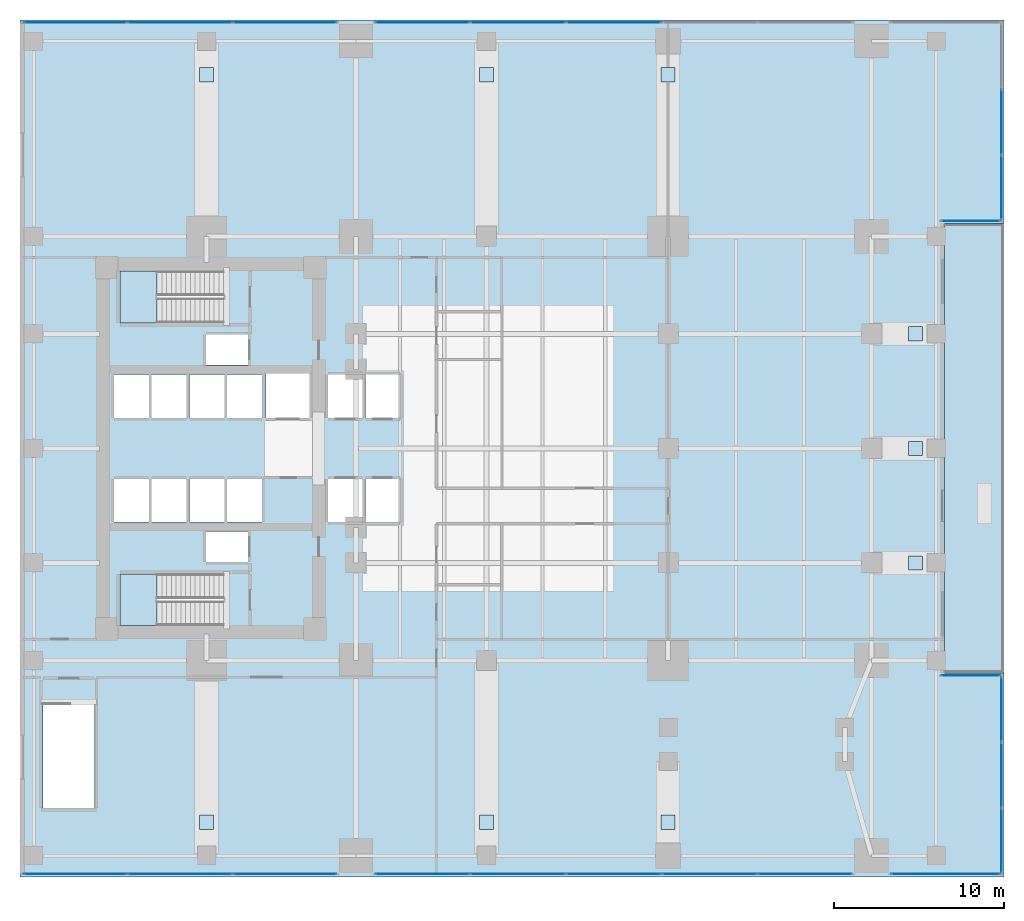
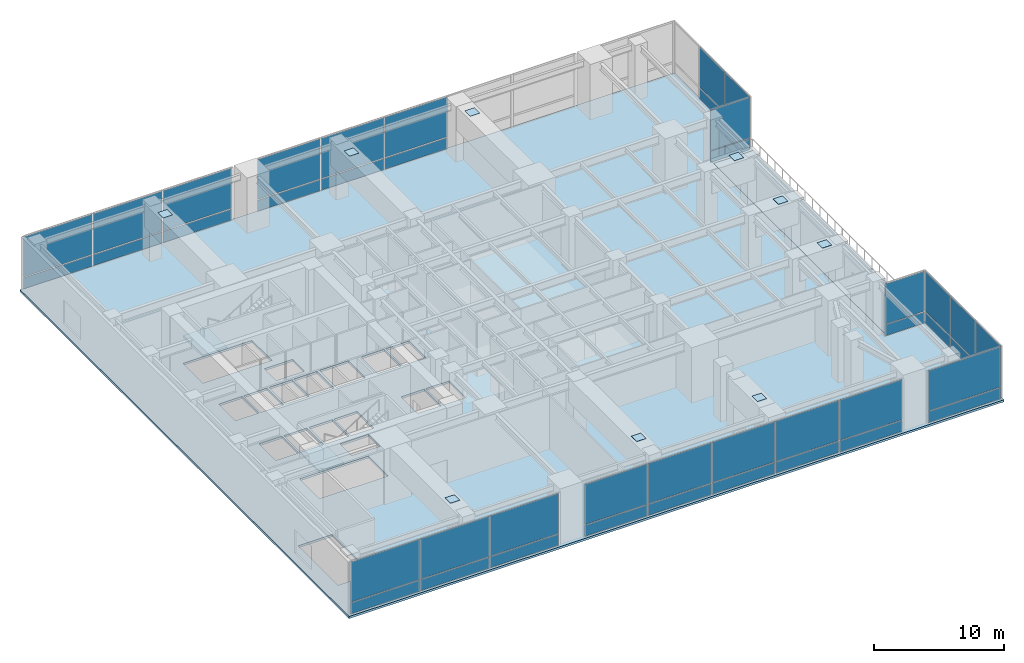
# One storey, part 7 of 14: 53 plates, 4 slabs, 11 elements without a shape of their own.
"""IFC4 building model written with IfcOpenShell, lengths in metres."""

from ifc_helpers import new_model, si_unit, direction, frame, origin, origin_2d, place, context, subcontext, project, spatial, polyline, rectangle, outline, extrude, material, layer, layer_set, type_object, element, aggregate, save


model = new_model("IFC4")

# Units and contexts
model_context = context("Model", 3, precision=1e-05, world=origin(), true_north=direction((0.0, 1.0)))
body_context = subcontext(model_context, "Body", "Model", "MODEL_VIEW")
ifc_project = project(units=[si_unit("LENGTHUNIT", "METRE"), si_unit("AREAUNIT", "SQUARE_METRE"), si_unit("VOLUMEUNIT", "CUBIC_METRE"), si_unit("PLANEANGLEUNIT", "RADIAN"), si_unit("MASSUNIT", "GRAM", prefix="KILO")], contexts=[model_context])

# Site, building, storey
site_placement = place(None, origin())
site = spatial("IfcSite", under=ifc_project, at=site_placement, CompositionType="ELEMENT")
building_placement = place(site_placement, origin())
building = spatial("IfcBuilding", under=site, at=building_placement, Name="Kinhvarn Gate Tower", CompositionType="ELEMENT")
storey_placement = place(building_placement, frame((0.0, 0.0, 20.39990234375)))
storey = spatial("IfcBuildingStorey", under=building, at=storey_placement, Name="L04", CompositionType="ELEMENT", Elevation=20.39990234375)

# Curtain wall, plates
ifc_material_1 = material(Name="Anodised aluminium AW-6063", Category="aluminium")
ifc_layer_1 = layer(ifc_material_1, 0.219970703125)
ifc_layer_set_1 = layer_set([ifc_layer_1], Name="Anodised aluminium AW-6063")
curtain_wall_type = type_object("IfcCurtainWallType", Name="CW-SYS-1", PredefinedType="NOTDEFINED", material=ifc_layer_set_1)
curtain_wall_1_placement = place(storey_placement, origin())
curtain_wall_1 = element("IfcCurtainWall", 1, at=curtain_wall_1_placement, inside=storey, type_object=curtain_wall_type, Name="Curtain Wall CW1 (L04)", PredefinedType="NOTDEFINED")
ifc_material_2 = material(Name="Clear low-e double glazing", Category="glass")
ifc_layer_2 = layer(ifc_material_2, 0.031982421875)
ifc_layer_set_2 = layer_set([ifc_layer_2], Name="Clear low-e double glazing")
plate_type_1 = type_object("IfcPlateType", Name="CW-PNL-VIS", PredefinedType="CURTAIN_PANEL", material=ifc_layer_set_2)
plate_1_placement = place(storey_placement, frame((3.264892578125, 0.14990234375, 0.080078125), z_axis=(0.0, 0.0, 1.0), x_axis=(1.0, 0.0, 0.0)))
plate_1 = element("IfcPlate", 2, at=plate_1_placement, type_object=plate_type_1, Name="CW1 panel 1.1", PredefinedType="CURTAIN_PANEL", context=body_context, shape_type="SweptSolid", body=[
    extrude(rectangle(XDim=6.070068359375, YDim=0.031982421875, at=origin_2d()), origin(), (0.0, 0.0, 1.0), 1.030029296875),
])
plate_2_placement = place(storey_placement, frame((3.264892578125, 0.14990234375, 1.190185546875), z_axis=(0.0, 0.0, 1.0), x_axis=(1.0, 0.0, 0.0)))
plate_2 = element("IfcPlate", 3, at=plate_2_placement, type_object=plate_type_1, Name="CW1 panel 1.2", PredefinedType="CURTAIN_PANEL", context=body_context, shape_type="SweptSolid", body=[
    extrude(rectangle(XDim=6.070068359375, YDim=0.031982421875, at=origin_2d()), origin(), (0.0, 0.0, 1.0), 3.75),
])
plate_3_placement = place(storey_placement, frame((9.43505859375, 0.14990234375, 0.080078125), z_axis=(0.0, 0.0, 1.0), x_axis=(1.0, 0.0, 0.0)))
plate_3 = element("IfcPlate", 4, at=plate_3_placement, type_object=plate_type_1, Name="CW1 panel 2.1", PredefinedType="CURTAIN_PANEL", context=body_context, shape_type="SweptSolid", body=[
    extrude(rectangle(XDim=6.110107421875, YDim=0.031982421875, at=origin_2d()), origin(), (0.0, 0.0, 1.0), 1.030029296875),
])
plate_4_placement = place(storey_placement, frame((9.43505859375, 0.14990234375, 1.190185546875), z_axis=(0.0, 0.0, 1.0), x_axis=(1.0, 0.0, 0.0)))
plate_4 = element("IfcPlate", 5, at=plate_4_placement, type_object=plate_type_1, Name="CW1 panel 2.2", PredefinedType="CURTAIN_PANEL", context=body_context, shape_type="SweptSolid", body=[
    extrude(rectangle(XDim=6.110107421875, YDim=0.031982421875, at=origin_2d()), origin(), (0.0, 0.0, 1.0), 3.75),
])
plate_5_placement = place(storey_placement, frame((15.60498046875, 0.14990234375, 0.080078125), z_axis=(0.0, 0.0, 1.0), x_axis=(1.0, 0.0, 0.0)))
plate_5 = element("IfcPlate", 6, at=plate_5_placement, type_object=plate_type_1, Name="CW1 panel 3.1", PredefinedType="CURTAIN_PANEL", context=body_context, shape_type="SweptSolid", body=[
    extrude(rectangle(XDim=6.070068359375, YDim=0.031982421875, at=origin_2d()), origin(), (0.0, 0.0, 1.0), 1.030029296875),
])
plate_6_placement = place(storey_placement, frame((15.60498046875, 0.14990234375, 1.190185546875), z_axis=(0.0, 0.0, 1.0), x_axis=(1.0, 0.0, 0.0)))
plate_6 = element("IfcPlate", 7, at=plate_6_placement, type_object=plate_type_1, Name="CW1 panel 3.2", PredefinedType="CURTAIN_PANEL", context=body_context, shape_type="SweptSolid", body=[
    extrude(rectangle(XDim=6.070068359375, YDim=0.031982421875, at=origin_2d()), origin(), (0.0, 0.0, 1.0), 3.75),
])
aggregate(curtain_wall_1, [plate_1, plate_2, plate_3, plate_4, plate_5, plate_6])

curtain_wall_2_placement = place(storey_placement, origin())
curtain_wall_2 = element("IfcCurtainWall", 8, at=curtain_wall_2_placement, inside=storey, type_object=curtain_wall_type, Name="Curtain Wall CW1 (L04)", PredefinedType="NOTDEFINED")
plate_7_placement = place(storey_placement, frame((23.72412109375, 0.14990234375, 0.080078125), z_axis=(0.0, 0.0, 1.0), x_axis=(1.0, 0.0, 0.0)))
plate_7 = element("IfcPlate", 9, at=plate_7_placement, type_object=plate_type_1, Name="CW1 panel 1.1", PredefinedType="CURTAIN_PANEL", context=body_context, shape_type="SweptSolid", body=[
    extrude(rectangle(XDim=5.528076171875, YDim=0.031982421875, at=origin_2d()), origin(), (0.0, 0.0, 1.0), 1.030029296875),
])
plate_8_placement = place(storey_placement, frame((23.72412109375, 0.14990234375, 1.190185546875), z_axis=(0.0, 0.0, 1.0), x_axis=(1.0, 0.0, 0.0)))
plate_8 = element("IfcPlate", 10, at=plate_8_placement, type_object=plate_type_1, Name="CW1 panel 1.2", PredefinedType="CURTAIN_PANEL", context=body_context, shape_type="SweptSolid", body=[
    extrude(rectangle(XDim=5.528076171875, YDim=0.031982421875, at=origin_2d()), origin(), (0.0, 0.0, 1.0), 3.75),
])
plate_9_placement = place(storey_placement, frame((29.35205078125, 0.14990234375, 0.080078125), z_axis=(0.0, 0.0, 1.0), x_axis=(1.0, 0.0, 0.0)))
plate_9 = element("IfcPlate", 11, at=plate_9_placement, type_object=plate_type_1, Name="CW1 panel 2.1", PredefinedType="CURTAIN_PANEL", context=body_context, shape_type="SweptSolid", body=[
    extrude(rectangle(XDim=5.568115234375, YDim=0.031982421875, at=origin_2d()), origin(), (0.0, 0.0, 1.0), 1.030029296875),
])
plate_10_placement = place(storey_placement, frame((29.35205078125, 0.14990234375, 1.190185546875), z_axis=(0.0, 0.0, 1.0), x_axis=(1.0, 0.0, 0.0)))
plate_10 = element("IfcPlate", 12, at=plate_10_placement, type_object=plate_type_1, Name="CW1 panel 2.2", PredefinedType="CURTAIN_PANEL", context=body_context, shape_type="SweptSolid", body=[
    extrude(rectangle(XDim=5.568115234375, YDim=0.031982421875, at=origin_2d()), origin(), (0.0, 0.0, 1.0), 3.75),
])
plate_11_placement = place(storey_placement, frame((35.0, 0.14990234375, 0.080078125), z_axis=(0.0, 0.0, 1.0), x_axis=(1.0, 0.0, 0.0)))
plate_11 = element("IfcPlate", 13, at=plate_11_placement, type_object=plate_type_1, Name="CW1 panel 3.1", PredefinedType="CURTAIN_PANEL", context=body_context, shape_type="SweptSolid", body=[
    extrude(rectangle(XDim=5.568115234375, YDim=0.031982421875, at=origin_2d()), origin(), (0.0, 0.0, 1.0), 1.030029296875),
])
plate_12_placement = place(storey_placement, frame((35.0, 0.14990234375, 1.190185546875), z_axis=(0.0, 0.0, 1.0), x_axis=(1.0, 0.0, 0.0)))
plate_12 = element("IfcPlate", 14, at=plate_12_placement, type_object=plate_type_1, Name="CW1 panel 3.2", PredefinedType="CURTAIN_PANEL", context=body_context, shape_type="SweptSolid", body=[
    extrude(rectangle(XDim=5.568115234375, YDim=0.031982421875, at=origin_2d()), origin(), (0.0, 0.0, 1.0), 3.75),
])
plate_13_placement = place(storey_placement, frame((40.64794921875, 0.14990234375, 0.080078125), z_axis=(0.0, 0.0, 1.0), x_axis=(1.0, 0.0, 0.0)))
plate_13 = element("IfcPlate", 15, at=plate_13_placement, type_object=plate_type_1, Name="CW1 panel 4.1", PredefinedType="CURTAIN_PANEL", context=body_context, shape_type="SweptSolid", body=[
    extrude(rectangle(XDim=5.568115234375, YDim=0.031982421875, at=origin_2d()), origin(), (0.0, 0.0, 1.0), 1.030029296875),
])
plate_14_placement = place(storey_placement, frame((40.64794921875, 0.14990234375, 1.190185546875), z_axis=(0.0, 0.0, 1.0), x_axis=(1.0, 0.0, 0.0)))
plate_14 = element("IfcPlate", 16, at=plate_14_placement, type_object=plate_type_1, Name="CW1 panel 4.2", PredefinedType="CURTAIN_PANEL", context=body_context, shape_type="SweptSolid", body=[
    extrude(rectangle(XDim=5.568115234375, YDim=0.031982421875, at=origin_2d()), origin(), (0.0, 0.0, 1.0), 3.75),
])
plate_15_placement = place(storey_placement, frame((46.27587890625, 0.14990234375, 0.080078125), z_axis=(0.0, 0.0, 1.0), x_axis=(1.0, 0.0, 0.0)))
plate_15 = element("IfcPlate", 17, at=plate_15_placement, type_object=plate_type_1, Name="CW1 panel 5.1", PredefinedType="CURTAIN_PANEL", context=body_context, shape_type="SweptSolid", body=[
    extrude(rectangle(XDim=5.528076171875, YDim=0.031982421875, at=origin_2d()), origin(), (0.0, 0.0, 1.0), 1.030029296875),
])
plate_16_placement = place(storey_placement, frame((46.27587890625, 0.14990234375, 1.190185546875), z_axis=(0.0, 0.0, 1.0), x_axis=(1.0, 0.0, 0.0)))
plate_16 = element("IfcPlate", 18, at=plate_16_placement, type_object=plate_type_1, Name="CW1 panel 5.2", PredefinedType="CURTAIN_PANEL", context=body_context, shape_type="SweptSolid", body=[
    extrude(rectangle(XDim=5.528076171875, YDim=0.031982421875, at=origin_2d()), origin(), (0.0, 0.0, 1.0), 3.75),
])
aggregate(curtain_wall_2, [plate_7, plate_8, plate_9, plate_10, plate_11, plate_12, plate_13, plate_14, plate_15, plate_16])

curtain_wall_3_placement = place(storey_placement, origin())
curtain_wall_3 = element("IfcCurtainWall", 19, at=curtain_wall_3_placement, inside=storey, type_object=curtain_wall_type, Name="Curtain Wall CW1 (L04)", PredefinedType="NOTDEFINED")
plate_17_placement = place(storey_placement, frame((54.56494140625, 0.14990234375, 0.080078125), z_axis=(0.0, 0.0, 1.0), x_axis=(1.0, 0.0, 0.0)))
plate_17 = element("IfcPlate", 20, at=plate_17_placement, type_object=plate_type_1, Name="CW1 panel 1.1", PredefinedType="CURTAIN_PANEL", context=body_context, shape_type="SweptSolid", body=[
    extrude(rectangle(XDim=6.409912109375, YDim=0.031982421875, at=origin_2d()), origin(), (0.0, 0.0, 1.0), 1.030029296875),
])
plate_18_placement = place(storey_placement, frame((54.56494140625, 0.14990234375, 1.190185546875), z_axis=(0.0, 0.0, 1.0), x_axis=(1.0, 0.0, 0.0)))
plate_18 = element("IfcPlate", 21, at=plate_18_placement, type_object=plate_type_1, Name="CW1 panel 1.2", PredefinedType="CURTAIN_PANEL", context=body_context, shape_type="SweptSolid", body=[
    extrude(rectangle(XDim=6.409912109375, YDim=0.031982421875, at=origin_2d()), origin(), (0.0, 0.0, 1.0), 3.75),
])
aggregate(curtain_wall_3, [plate_17, plate_18])

curtain_wall_4_placement = place(storey_placement, origin())
curtain_wall_4 = element("IfcCurtainWall", 22, at=curtain_wall_4_placement, inside=storey, type_object=curtain_wall_type, Name="Curtain Wall CW1 (L04)", PredefinedType="NOTDEFINED")
plate_19_placement = place(storey_placement, frame((57.85009765625, 2.1201171875, 0.080078125), z_axis=(0.0, 0.0, 1.0), x_axis=(0.0, 1.0, 0.0)))
plate_19 = element("IfcPlate", 23, at=plate_19_placement, type_object=plate_type_1, Name="CW1 panel 1.1", PredefinedType="CURTAIN_PANEL", context=body_context, shape_type="SweptSolid", body=[
    extrude(rectangle(XDim=3.780029296875, YDim=0.031982421875, at=origin_2d()), origin(), (0.0, 0.0, 1.0), 1.030029296875),
])
plate_20_placement = place(storey_placement, frame((57.85009765625, 2.1201171875, 1.190185546875), z_axis=(0.0, 0.0, 1.0), x_axis=(0.0, 1.0, 0.0)))
plate_20 = element("IfcPlate", 24, at=plate_20_placement, type_object=plate_type_1, Name="CW1 panel 1.2", PredefinedType="CURTAIN_PANEL", context=body_context, shape_type="SweptSolid", body=[
    extrude(rectangle(XDim=3.780029296875, YDim=0.031982421875, at=origin_2d()), origin(), (0.0, 0.0, 1.0), 3.75),
])
plate_21_placement = place(storey_placement, frame((57.85009765625, 6.0, 0.080078125), z_axis=(0.0, 0.0, 1.0), x_axis=(0.0, 1.0, 0.0)))
plate_21 = element("IfcPlate", 25, at=plate_21_placement, type_object=plate_type_1, Name="CW1 panel 2.1", PredefinedType="CURTAIN_PANEL", context=body_context, shape_type="SweptSolid", body=[
    extrude(rectangle(XDim=3.820068359375, YDim=0.031982421875, at=origin_2d()), origin(), (0.0, 0.0, 1.0), 1.030029296875),
])
plate_22_placement = place(storey_placement, frame((57.85009765625, 6.0, 1.190185546875), z_axis=(0.0, 0.0, 1.0), x_axis=(0.0, 1.0, 0.0)))
plate_22 = element("IfcPlate", 26, at=plate_22_placement, type_object=plate_type_1, Name="CW1 panel 2.2", PredefinedType="CURTAIN_PANEL", context=body_context, shape_type="SweptSolid", body=[
    extrude(rectangle(XDim=3.820068359375, YDim=0.031982421875, at=origin_2d()), origin(), (0.0, 0.0, 1.0), 3.75),
])
plate_23_placement = place(storey_placement, frame((57.85009765625, 9.8798828125, 0.080078125), z_axis=(0.0, 0.0, 1.0), x_axis=(0.0, 1.0, 0.0)))
plate_23 = element("IfcPlate", 27, at=plate_23_placement, type_object=plate_type_1, Name="CW1 panel 3.1", PredefinedType="CURTAIN_PANEL", context=body_context, shape_type="SweptSolid", body=[
    extrude(rectangle(XDim=3.780029296875, YDim=0.031982421875, at=origin_2d()), origin(), (0.0, 0.0, 1.0), 1.030029296875),
])
plate_24_placement = place(storey_placement, frame((57.85009765625, 9.8798828125, 1.190185546875), z_axis=(0.0, 0.0, 1.0), x_axis=(0.0, 1.0, 0.0)))
plate_24 = element("IfcPlate", 28, at=plate_24_placement, type_object=plate_type_1, Name="CW1 panel 3.2", PredefinedType="CURTAIN_PANEL", context=body_context, shape_type="SweptSolid", body=[
    extrude(rectangle(XDim=3.780029296875, YDim=0.031982421875, at=origin_2d()), origin(), (0.0, 0.0, 1.0), 3.75),
])
aggregate(curtain_wall_4, [plate_19, plate_20, plate_21, plate_22, plate_23, plate_24])

curtain_wall_5_placement = place(storey_placement, origin())
curtain_wall_5 = element("IfcCurtainWall", 29, at=curtain_wall_5_placement, inside=storey, type_object=curtain_wall_type, Name="Curtain Wall CW1 (L04)", PredefinedType="NOTDEFINED")
plate_25_placement = place(storey_placement, frame((56.050048828125, 11.85009765625, 0.080078125), z_axis=(0.0, 0.0, 1.0), x_axis=(-1.0, 0.0, 0.0)))
plate_25 = element("IfcPlate", 30, at=plate_25_placement, type_object=plate_type_1, Name="CW1 panel 1.1", PredefinedType="CURTAIN_PANEL", context=body_context, shape_type="SweptSolid", body=[
    extrude(rectangle(XDim=3.43994140625, YDim=0.031982421875, at=origin_2d()), origin(), (0.0, 0.0, 1.0), 1.030029296875),
])
plate_26_placement = place(storey_placement, frame((56.050048828125, 11.85009765625, 1.190185546875), z_axis=(0.0, 0.0, 1.0), x_axis=(-1.0, 0.0, 0.0)))
plate_26 = element("IfcPlate", 31, at=plate_26_placement, type_object=plate_type_1, Name="CW1 panel 1.2", PredefinedType="CURTAIN_PANEL", context=body_context, shape_type="SweptSolid", body=[
    extrude(rectangle(XDim=3.43994140625, YDim=0.031982421875, at=origin_2d()), origin(), (0.0, 0.0, 1.0), 3.75),
])
aggregate(curtain_wall_5, [plate_25, plate_26])

curtain_wall_6_placement = place(storey_placement, origin())
curtain_wall_6 = element("IfcCurtainWall", 32, at=curtain_wall_6_placement, inside=storey, type_object=curtain_wall_type, Name="Curtain Wall CW1 (L04)", PredefinedType="NOTDEFINED")
plate_27_placement = place(storey_placement, frame((56.050048828125, 38.64990234375, 0.080078125), z_axis=(0.0, 0.0, 1.0), x_axis=(1.0, 0.0, 0.0)))
plate_27 = element("IfcPlate", 33, at=plate_27_placement, type_object=plate_type_1, Name="CW1 panel 1.1", PredefinedType="CURTAIN_PANEL", context=body_context, shape_type="SweptSolid", body=[
    extrude(rectangle(XDim=3.43994140625, YDim=0.031982421875, at=origin_2d()), origin(), (0.0, 0.0, 1.0), 1.030029296875),
])
plate_28_placement = place(storey_placement, frame((56.050048828125, 38.64990234375, 1.190185546875), z_axis=(0.0, 0.0, 1.0), x_axis=(1.0, 0.0, 0.0)))
plate_28 = element("IfcPlate", 34, at=plate_28_placement, type_object=plate_type_1, Name="CW1 panel 1.2", PredefinedType="CURTAIN_PANEL", context=body_context, shape_type="SweptSolid", body=[
    extrude(rectangle(XDim=3.43994140625, YDim=0.031982421875, at=origin_2d()), origin(), (0.0, 0.0, 1.0), 3.75),
])
aggregate(curtain_wall_6, [plate_27, plate_28])

curtain_wall_7_placement = place(storey_placement, origin())
curtain_wall_7 = element("IfcCurtainWall", 35, at=curtain_wall_7_placement, inside=storey, type_object=curtain_wall_type, Name="Curtain Wall CW1 (L04)", PredefinedType="NOTDEFINED")
plate_29_placement = place(storey_placement, frame((57.85009765625, 40.6201171875, 0.080078125), z_axis=(0.0, 0.0, 1.0), x_axis=(0.0, 1.0, 0.0)))
plate_29 = element("IfcPlate", 36, at=plate_29_placement, type_object=plate_type_1, Name="CW1 panel 1.1", PredefinedType="CURTAIN_PANEL", context=body_context, shape_type="SweptSolid", body=[
    extrude(rectangle(XDim=3.780029296875, YDim=0.031982421875, at=origin_2d()), origin(), (0.0, 0.0, 1.0), 1.030029296875),
])
plate_30_placement = place(storey_placement, frame((57.85009765625, 40.6201171875, 1.190185546875), z_axis=(0.0, 0.0, 1.0), x_axis=(0.0, 1.0, 0.0)))
plate_30 = element("IfcPlate", 37, at=plate_30_placement, type_object=plate_type_1, Name="CW1 panel 1.2", PredefinedType="CURTAIN_PANEL", context=body_context, shape_type="SweptSolid", body=[
    extrude(rectangle(XDim=3.780029296875, YDim=0.031982421875, at=origin_2d()), origin(), (0.0, 0.0, 1.0), 3.75),
])
plate_31_placement = place(storey_placement, frame((57.85009765625, 44.5, 0.080078125), z_axis=(0.0, 0.0, 1.0), x_axis=(0.0, 1.0, 0.0)))
plate_31 = element("IfcPlate", 38, at=plate_31_placement, type_object=plate_type_1, Name="CW1 panel 2.1", PredefinedType="CURTAIN_PANEL", context=body_context, shape_type="SweptSolid", body=[
    extrude(rectangle(XDim=3.820068359375, YDim=0.031982421875, at=origin_2d()), origin(), (0.0, 0.0, 1.0), 1.030029296875),
])
plate_32_placement = place(storey_placement, frame((57.85009765625, 44.5, 1.190185546875), z_axis=(0.0, 0.0, 1.0), x_axis=(0.0, 1.0, 0.0)))
plate_32 = element("IfcPlate", 39, at=plate_32_placement, type_object=plate_type_1, Name="CW1 panel 2.2", PredefinedType="CURTAIN_PANEL", context=body_context, shape_type="SweptSolid", body=[
    extrude(rectangle(XDim=3.820068359375, YDim=0.031982421875, at=origin_2d()), origin(), (0.0, 0.0, 1.0), 3.75),
])
aggregate(curtain_wall_7, [plate_29, plate_30, plate_31, plate_32])

curtain_wall_8_placement = place(storey_placement, origin())
curtain_wall_8 = element("IfcCurtainWall", 40, at=curtain_wall_8_placement, inside=storey, type_object=curtain_wall_type, Name="Curtain Wall CW1 (L04)", PredefinedType="NOTDEFINED")
plate_33_placement = place(storey_placement, frame((35.0, 50.35009765625, 0.080078125), z_axis=(0.0, 0.0, 1.0), x_axis=(-1.0, 0.0, 0.0)))
plate_33 = element("IfcPlate", 41, at=plate_33_placement, type_object=plate_type_1, Name="CW1 panel 3.1", PredefinedType="CURTAIN_PANEL", context=body_context, shape_type="SweptSolid", body=[
    extrude(rectangle(XDim=5.568115234375, YDim=0.031982421875, at=origin_2d()), origin(), (0.0, 0.0, 1.0), 1.030029296875),
])
plate_34_placement = place(storey_placement, frame((35.0, 50.35009765625, 1.190185546875), z_axis=(0.0, 0.0, 1.0), x_axis=(-1.0, 0.0, 0.0)))
plate_34 = element("IfcPlate", 42, at=plate_34_placement, type_object=plate_type_1, Name="CW1 panel 3.2", PredefinedType="CURTAIN_PANEL", context=body_context, shape_type="SweptSolid", body=[
    extrude(rectangle(XDim=5.568115234375, YDim=0.031982421875, at=origin_2d()), origin(), (0.0, 0.0, 1.0), 3.75),
])
plate_35_placement = place(storey_placement, frame((29.35205078125, 50.35009765625, 0.080078125), z_axis=(0.0, 0.0, 1.0), x_axis=(-1.0, 0.0, 0.0)))
plate_35 = element("IfcPlate", 43, at=plate_35_placement, type_object=plate_type_1, Name="CW1 panel 4.1", PredefinedType="CURTAIN_PANEL", context=body_context, shape_type="SweptSolid", body=[
    extrude(rectangle(XDim=5.568115234375, YDim=0.031982421875, at=origin_2d()), origin(), (0.0, 0.0, 1.0), 1.030029296875),
])
plate_36_placement = place(storey_placement, frame((29.35205078125, 50.35009765625, 1.190185546875), z_axis=(0.0, 0.0, 1.0), x_axis=(-1.0, 0.0, 0.0)))
plate_36 = element("IfcPlate", 44, at=plate_36_placement, type_object=plate_type_1, Name="CW1 panel 4.2", PredefinedType="CURTAIN_PANEL", context=body_context, shape_type="SweptSolid", body=[
    extrude(rectangle(XDim=5.568115234375, YDim=0.031982421875, at=origin_2d()), origin(), (0.0, 0.0, 1.0), 3.75),
])
plate_37_placement = place(storey_placement, frame((23.72412109375, 50.35009765625, 0.080078125), z_axis=(0.0, 0.0, 1.0), x_axis=(-1.0, 0.0, 0.0)))
plate_37 = element("IfcPlate", 45, at=plate_37_placement, type_object=plate_type_1, Name="CW1 panel 5.1", PredefinedType="CURTAIN_PANEL", context=body_context, shape_type="SweptSolid", body=[
    extrude(rectangle(XDim=5.528076171875, YDim=0.031982421875, at=origin_2d()), origin(), (0.0, 0.0, 1.0), 1.030029296875),
])
plate_38_placement = place(storey_placement, frame((23.72412109375, 50.35009765625, 1.190185546875), z_axis=(0.0, 0.0, 1.0), x_axis=(-1.0, 0.0, 0.0)))
plate_38 = element("IfcPlate", 46, at=plate_38_placement, type_object=plate_type_1, Name="CW1 panel 5.2", PredefinedType="CURTAIN_PANEL", context=body_context, shape_type="SweptSolid", body=[
    extrude(rectangle(XDim=5.528076171875, YDim=0.031982421875, at=origin_2d()), origin(), (0.0, 0.0, 1.0), 3.75),
])
aggregate(curtain_wall_8, [plate_33, plate_34, plate_35, plate_36, plate_37, plate_38])

curtain_wall_9_placement = place(storey_placement, origin())
curtain_wall_9 = element("IfcCurtainWall", 47, at=curtain_wall_9_placement, inside=storey, type_object=curtain_wall_type, Name="Curtain Wall CW1 (L04)", PredefinedType="NOTDEFINED")
plate_39_placement = place(storey_placement, frame((15.60498046875, 50.35009765625, 0.080078125), z_axis=(0.0, 0.0, 1.0), x_axis=(-1.0, 0.0, 0.0)))
plate_39 = element("IfcPlate", 48, at=plate_39_placement, type_object=plate_type_1, Name="CW1 panel 1.1", PredefinedType="CURTAIN_PANEL", context=body_context, shape_type="SweptSolid", body=[
    extrude(rectangle(XDim=6.070068359375, YDim=0.031982421875, at=origin_2d()), origin(), (0.0, 0.0, 1.0), 1.030029296875),
])
plate_40_placement = place(storey_placement, frame((15.60498046875, 50.35009765625, 1.190185546875), z_axis=(0.0, 0.0, 1.0), x_axis=(-1.0, 0.0, 0.0)))
plate_40 = element("IfcPlate", 49, at=plate_40_placement, type_object=plate_type_1, Name="CW1 panel 1.2", PredefinedType="CURTAIN_PANEL", context=body_context, shape_type="SweptSolid", body=[
    extrude(rectangle(XDim=6.070068359375, YDim=0.031982421875, at=origin_2d()), origin(), (0.0, 0.0, 1.0), 3.75),
])
plate_41_placement = place(storey_placement, frame((9.43505859375, 50.35009765625, 0.080078125), z_axis=(0.0, 0.0, 1.0), x_axis=(-1.0, 0.0, 0.0)))
plate_41 = element("IfcPlate", 50, at=plate_41_placement, type_object=plate_type_1, Name="CW1 panel 2.1", PredefinedType="CURTAIN_PANEL", context=body_context, shape_type="SweptSolid", body=[
    extrude(rectangle(XDim=6.110107421875, YDim=0.031982421875, at=origin_2d()), origin(), (0.0, 0.0, 1.0), 1.030029296875),
])
plate_42_placement = place(storey_placement, frame((9.43505859375, 50.35009765625, 1.190185546875), z_axis=(0.0, 0.0, 1.0), x_axis=(-1.0, 0.0, 0.0)))
plate_42 = element("IfcPlate", 51, at=plate_42_placement, type_object=plate_type_1, Name="CW1 panel 2.2", PredefinedType="CURTAIN_PANEL", context=body_context, shape_type="SweptSolid", body=[
    extrude(rectangle(XDim=6.110107421875, YDim=0.031982421875, at=origin_2d()), origin(), (0.0, 0.0, 1.0), 3.75),
])
plate_43_placement = place(storey_placement, frame((3.264892578125, 50.35009765625, 0.080078125), z_axis=(0.0, 0.0, 1.0), x_axis=(-1.0, 0.0, 0.0)))
plate_43 = element("IfcPlate", 52, at=plate_43_placement, type_object=plate_type_1, Name="CW1 panel 3.1", PredefinedType="CURTAIN_PANEL", context=body_context, shape_type="SweptSolid", body=[
    extrude(rectangle(XDim=6.070068359375, YDim=0.031982421875, at=origin_2d()), origin(), (0.0, 0.0, 1.0), 1.030029296875),
])
plate_44_placement = place(storey_placement, frame((3.264892578125, 50.35009765625, 1.190185546875), z_axis=(0.0, 0.0, 1.0), x_axis=(-1.0, 0.0, 0.0)))
plate_44 = element("IfcPlate", 53, at=plate_44_placement, type_object=plate_type_1, Name="CW1 panel 3.2", PredefinedType="CURTAIN_PANEL", context=body_context, shape_type="SweptSolid", body=[
    extrude(rectangle(XDim=6.070068359375, YDim=0.031982421875, at=origin_2d()), origin(), (0.0, 0.0, 1.0), 3.75),
])
aggregate(curtain_wall_9, [plate_39, plate_40, plate_41, plate_42, plate_43, plate_44])

# Plates
ifc_material_3 = material(Name="Steel S355", Category="steel")
ifc_layer_3 = layer(ifc_material_3, 0.028076171875)
ifc_layer_set_3 = layer_set([ifc_layer_3], Name="Steel S355")
plate_type_2 = type_object("IfcPlateType", Name="PLT-NODE-TN1", PredefinedType="USERDEFINED", material=ifc_layer_set_3)
plate_45_placement = place(storey_placement, frame((0.0, 0.0, 5.176025390625)))
element("IfcPlate", 54, at=plate_45_placement, inside=storey, type_object=plate_type_2, Name="Structural Node Cap Plate TN1", ObjectType="GUSSET_PLATE", PredefinedType="USERDEFINED", context=body_context, shape_type="SweptSolid", body=[
    extrude(outline(polyline([(52.360107421875, 18.080078125), (53.199951171875, 18.080078125), (53.199951171875, 18.919921875), (52.360107421875, 18.919921875), (52.360107421875, 18.080078125)])), origin(), (0.0, 0.0, 1.0), 0.028076171875),
])
plate_46_placement = place(storey_placement, frame((0.0, 0.0, 5.176025390625)))
element("IfcPlate", 55, at=plate_46_placement, inside=storey, type_object=plate_type_2, Name="Structural Node Cap Plate TN1", ObjectType="GUSSET_PLATE", PredefinedType="USERDEFINED", context=body_context, shape_type="SweptSolid", body=[
    extrude(outline(polyline([(52.360107421875, 24.830078125), (53.199951171875, 24.830078125), (53.199951171875, 25.669921875), (52.360107421875, 25.669921875), (52.360107421875, 24.830078125)])), origin(), (0.0, 0.0, 1.0), 0.028076171875),
])
plate_47_placement = place(storey_placement, frame((0.0, 0.0, 5.176025390625)))
element("IfcPlate", 56, at=plate_47_placement, inside=storey, type_object=plate_type_2, Name="Structural Node Cap Plate TN1", ObjectType="GUSSET_PLATE", PredefinedType="USERDEFINED", context=body_context, shape_type="SweptSolid", body=[
    extrude(outline(polyline([(52.360107421875, 31.580078125), (53.199951171875, 31.580078125), (53.199951171875, 32.419921875), (52.360107421875, 32.419921875), (52.360107421875, 31.580078125)])), origin(), (0.0, 0.0, 1.0), 0.028076171875),
])
plate_48_placement = place(storey_placement, frame((0.0, 0.0, 5.176025390625)))
element("IfcPlate", 57, at=plate_48_placement, inside=storey, type_object=plate_type_2, Name="Structural Node Cap Plate TN1", ObjectType="GUSSET_PLATE", PredefinedType="USERDEFINED", context=body_context, shape_type="SweptSolid", body=[
    extrude(outline(polyline([(10.580078125, 2.800048828125), (11.419921875, 2.800048828125), (11.419921875, 3.639892578125), (10.580078125, 3.639892578125), (10.580078125, 2.800048828125)])), origin(), (0.0, 0.0, 1.0), 0.028076171875),
])
plate_49_placement = place(storey_placement, frame((0.0, 0.0, 5.176025390625)))
element("IfcPlate", 58, at=plate_49_placement, inside=storey, type_object=plate_type_2, Name="Structural Node Cap Plate TN1", ObjectType="GUSSET_PLATE", PredefinedType="USERDEFINED", context=body_context, shape_type="SweptSolid", body=[
    extrude(outline(polyline([(27.080078125, 2.800048828125), (27.919921875, 2.800048828125), (27.919921875, 3.639892578125), (27.080078125, 3.639892578125), (27.080078125, 2.800048828125)])), origin(), (0.0, 0.0, 1.0), 0.028076171875),
])
plate_50_placement = place(storey_placement, frame((0.0, 0.0, 5.176025390625)))
element("IfcPlate", 59, at=plate_50_placement, inside=storey, type_object=plate_type_2, Name="Structural Node Cap Plate TN1", ObjectType="GUSSET_PLATE", PredefinedType="USERDEFINED", context=body_context, shape_type="SweptSolid", body=[
    extrude(outline(polyline([(37.780029296875, 2.800048828125), (38.6201171875, 2.800048828125), (38.6201171875, 3.639892578125), (37.780029296875, 3.639892578125), (37.780029296875, 2.800048828125)])), origin(), (0.0, 0.0, 1.0), 0.028076171875),
])
plate_51_placement = place(storey_placement, frame((0.0, 0.0, 5.176025390625)))
element("IfcPlate", 60, at=plate_51_placement, inside=storey, type_object=plate_type_2, Name="Structural Node Cap Plate TN1", ObjectType="GUSSET_PLATE", PredefinedType="USERDEFINED", context=body_context, shape_type="SweptSolid", body=[
    extrude(outline(polyline([(10.580078125, 46.860107421875), (11.419921875, 46.860107421875), (11.419921875, 47.699951171875), (10.580078125, 47.699951171875), (10.580078125, 46.860107421875)])), origin(), (0.0, 0.0, 1.0), 0.028076171875),
])
plate_52_placement = place(storey_placement, frame((0.0, 0.0, 5.176025390625)))
element("IfcPlate", 61, at=plate_52_placement, inside=storey, type_object=plate_type_2, Name="Structural Node Cap Plate TN1", ObjectType="GUSSET_PLATE", PredefinedType="USERDEFINED", context=body_context, shape_type="SweptSolid", body=[
    extrude(outline(polyline([(27.080078125, 46.860107421875), (27.919921875, 46.860107421875), (27.919921875, 47.699951171875), (27.080078125, 47.699951171875), (27.080078125, 46.860107421875)])), origin(), (0.0, 0.0, 1.0), 0.028076171875),
])
plate_53_placement = place(storey_placement, frame((0.0, 0.0, 5.176025390625)))
element("IfcPlate", 62, at=plate_53_placement, inside=storey, type_object=plate_type_2, Name="Structural Node Cap Plate TN1", ObjectType="GUSSET_PLATE", PredefinedType="USERDEFINED", context=body_context, shape_type="SweptSolid", body=[
    extrude(outline(polyline([(37.780029296875, 46.860107421875), (38.6201171875, 46.860107421875), (38.6201171875, 47.699951171875), (37.780029296875, 47.699951171875), (37.780029296875, 46.860107421875)])), origin(), (0.0, 0.0, 1.0), 0.028076171875),
])

# Slab
ifc_material_4 = material(Name="Concrete C50/60", Category="concrete")
ifc_layer_4 = layer(ifc_material_4, 0.199951171875)
ifc_layer_set_4 = layer_set([ifc_layer_4], Name="Concrete C50/60")
slab_type_1 = type_object("IfcSlabType", Name="SLB-REF-200", PredefinedType="FLOOR", material=ifc_layer_set_4)
slab_1_placement = place(storey_placement, frame((0.0, 0.0, -0.199951171875)))
element("IfcSlab", 63, at=slab_1_placement, inside=storey, type_object=slab_type_1, Name="Suspended Floor Slab L04", PredefinedType="FLOOR", context=body_context, shape_type="SweptSolid", body=[
    extrude(outline(polyline([(0.0, 0.0), (58.0, 0.0), (58.0, 12.0), (54.5, 12.0), (54.5, 38.5), (58.0, 38.5), (58.0, 50.5), (0.0, 50.5), (0.0, 0.0)]), holes=[polyline([(5.89990234375, 14.800048828125), (12.0, 14.800048828125), (12.0, 17.85009765625), (5.89990234375, 17.85009765625), (5.89990234375, 14.800048828125)]), polyline([(5.89990234375, 32.64990234375), (12.0, 32.64990234375), (12.0, 35.699951171875), (5.89990234375, 35.699951171875), (5.89990234375, 32.64990234375)]), polyline([(1.35009765625, 4.050048828125), (4.39990234375, 4.050048828125), (4.39990234375, 10.14990234375), (1.35009765625, 10.14990234375), (1.35009765625, 4.050048828125)]), polyline([(18.14990234375, 20.89990234375), (20.199951171875, 20.89990234375), (20.199951171875, 23.449951171875), (18.14990234375, 23.449951171875), (18.14990234375, 20.89990234375)]), polyline([(20.35009765625, 20.89990234375), (22.39990234375, 20.89990234375), (22.39990234375, 23.449951171875), (20.35009765625, 23.449951171875), (20.35009765625, 20.89990234375)]), polyline([(18.14990234375, 27.050048828125), (20.199951171875, 27.050048828125), (20.199951171875, 29.60009765625), (18.14990234375, 29.60009765625), (18.14990234375, 27.050048828125)]), polyline([(20.35009765625, 27.050048828125), (22.39990234375, 27.050048828125), (22.39990234375, 29.60009765625), (20.35009765625, 29.60009765625), (20.35009765625, 27.050048828125)]), polyline([(5.550048828125, 20.89990234375), (7.60009765625, 20.89990234375), (7.60009765625, 23.449951171875), (5.550048828125, 23.449951171875), (5.550048828125, 20.89990234375)]), polyline([(7.75, 20.89990234375), (9.800048828125, 20.89990234375), (9.800048828125, 23.449951171875), (7.75, 23.449951171875), (7.75, 20.89990234375)]), polyline([(5.550048828125, 27.050048828125), (7.60009765625, 27.050048828125), (7.60009765625, 29.60009765625), (5.550048828125, 29.60009765625), (5.550048828125, 27.050048828125)]), polyline([(7.75, 27.050048828125), (9.800048828125, 27.050048828125), (9.800048828125, 29.60009765625), (7.75, 29.60009765625), (7.75, 27.050048828125)]), polyline([(10.0, 20.89990234375), (12.050048828125, 20.89990234375), (12.050048828125, 23.449951171875), (10.0, 23.449951171875), (10.0, 20.89990234375)]), polyline([(12.199951171875, 20.89990234375), (14.25, 20.89990234375), (14.25, 23.449951171875), (12.199951171875, 23.449951171875), (12.199951171875, 20.89990234375)]), polyline([(10.0, 27.050048828125), (12.050048828125, 27.050048828125), (12.050048828125, 29.60009765625), (10.0, 29.60009765625), (10.0, 27.050048828125)]), polyline([(12.199951171875, 27.050048828125), (14.25, 27.050048828125), (14.25, 29.60009765625), (12.199951171875, 29.60009765625), (12.199951171875, 27.050048828125)]), polyline([(14.5, 27.050048828125), (17.050048828125, 27.050048828125), (17.050048828125, 29.64990234375), (14.5, 29.64990234375), (14.5, 27.050048828125)]), polyline([(10.949951171875, 18.550048828125), (13.449951171875, 18.550048828125), (13.449951171875, 20.35009765625), (10.949951171875, 20.35009765625), (10.949951171875, 18.550048828125)]), polyline([(10.949951171875, 30.14990234375), (13.449951171875, 30.14990234375), (13.449951171875, 31.949951171875), (10.949951171875, 31.949951171875), (10.949951171875, 30.14990234375)])]), origin(), (0.0, 0.0, 1.0), 0.199951171875),
])

# Stair, slab
ifc_material_5 = material(Name="Concrete C40/50", Category="concrete")
stair_type = type_object("IfcStairType", Name="STR-DLG-173", PredefinedType="HALF_TURN_STAIR", material=ifc_material_5)
stair_1_placement = place(storey_placement, origin())
stair_1 = element("IfcStair", 64, at=stair_1_placement, inside=storey, type_object=stair_type, Name="L04 Core Smokeproof Exit Stair ST1", PredefinedType="HALF_TURN_STAIR")
ifc_layer_5 = layer(ifc_material_5, 0.199951171875)
ifc_layer_set_5 = layer_set([ifc_layer_5], Name="Concrete C40/50")
slab_type_2 = type_object("IfcSlabType", Name="SLB-ST-LND", PredefinedType="LANDING", material=ifc_layer_set_5)
slab_2_placement = place(storey_placement, frame((0.0, 0.0, 2.400146484375)))
slab_2 = element("IfcSlab", 65, at=slab_2_placement, type_object=slab_type_2, Name="ST1 landing 1", PredefinedType="LANDING", context=body_context, shape_type="SweptSolid", body=[
    extrude(outline(polyline([(8.080078125, 17.85009765625), (5.89990234375, 17.85009765625), (5.89990234375, 14.800048828125), (8.080078125, 14.800048828125), (8.080078125, 17.85009765625)])), origin(), (0.0, 0.0, 1.0), 0.199951171875),
])
aggregate(stair_1, [slab_2])

stair_2_placement = place(storey_placement, origin())
stair_2 = element("IfcStair", 66, at=stair_2_placement, inside=storey, type_object=stair_type, Name="L04 Core Smokeproof Exit Stair ST2", PredefinedType="HALF_TURN_STAIR")
slab_3_placement = place(storey_placement, frame((0.0, 0.0, 2.400146484375)))
slab_3 = element("IfcSlab", 67, at=slab_3_placement, type_object=slab_type_2, Name="ST2 landing 1", PredefinedType="LANDING", context=body_context, shape_type="SweptSolid", body=[
    extrude(outline(polyline([(8.080078125, 35.699951171875), (5.89990234375, 35.699951171875), (5.89990234375, 32.64990234375), (8.080078125, 32.64990234375), (8.080078125, 35.699951171875)])), origin(), (0.0, 0.0, 1.0), 0.199951171875),
])
aggregate(stair_2, [slab_3])

# Slab
ifc_layer_6 = layer(ifc_material_5, 0.199951171875)
ifc_layer_set_6 = layer_set([ifc_layer_6], Name="Concrete C40/50")
slab_type_3 = type_object("IfcSlabType", Name="SLB-TER-200", PredefinedType="ROOF", material=ifc_layer_set_6)
slab_4_placement = place(storey_placement, frame((0.0, 0.0, -0.199951171875)))
element("IfcSlab", 68, at=slab_4_placement, inside=storey, type_object=slab_type_3, Name="Podium Setback Terrace Roof Slab L04", PredefinedType="ROOF", context=body_context, shape_type="SweptSolid", body=[
    extrude(outline(polyline([(54.5, 12.0), (58.0, 12.0), (58.0, 38.5), (54.5, 38.5), (54.5, 12.0)])), origin(), (0.0, 0.0, 1.0), 0.199951171875),
])

save(model, "model.ifc")
